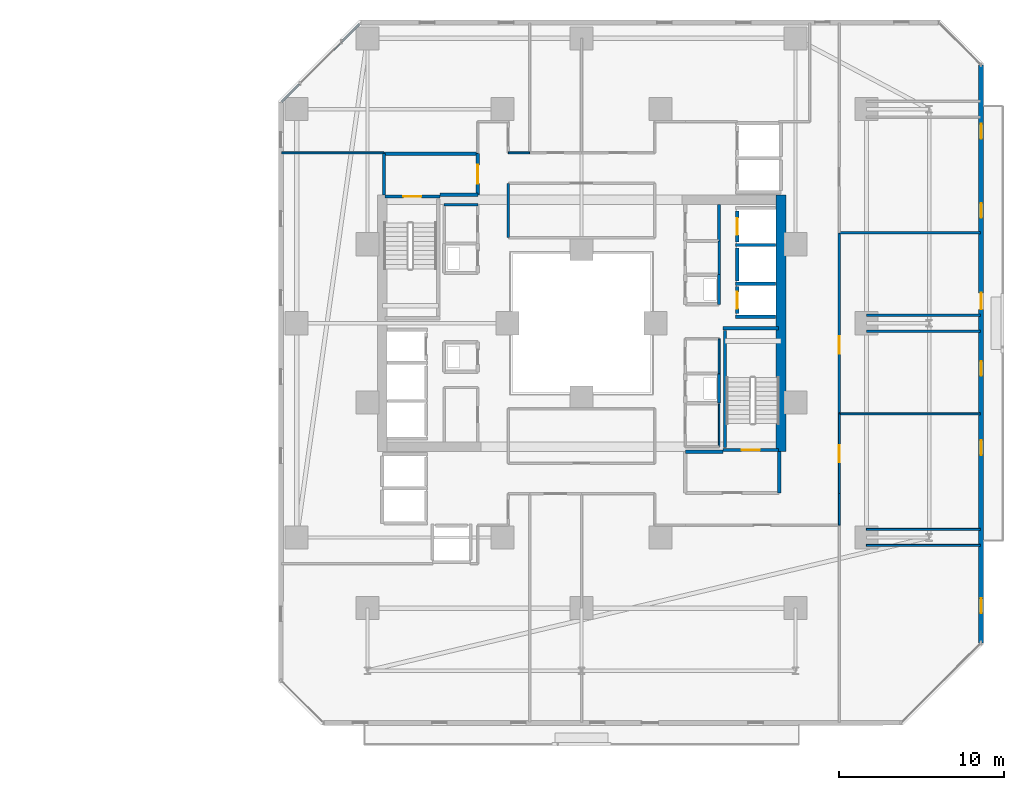
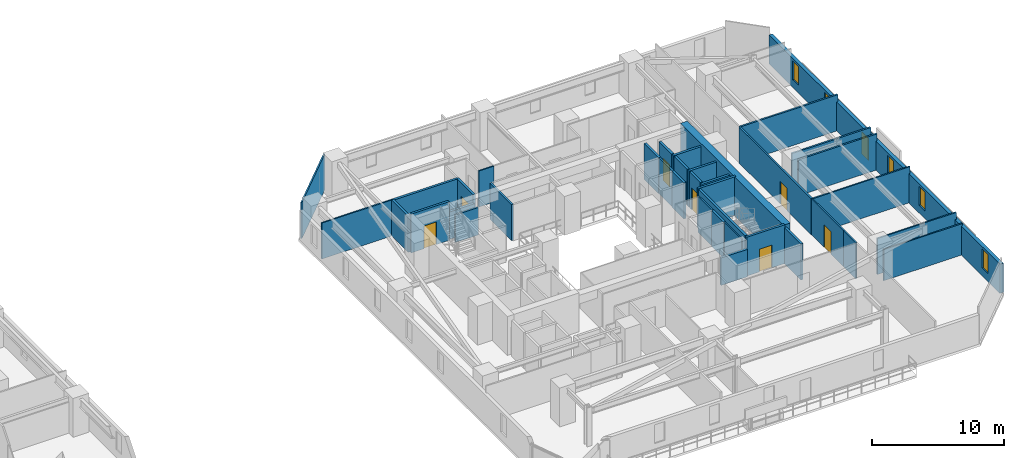
# One storey, part 24 of 33: 38 walls, 8 doors, 5 windows, 13 openings.
"""IFC4 building model written with IfcOpenShell, lengths in metres."""

from ifc_helpers import new_model, si_unit, direction, frame, frame_2d, origin, place, context, subcontext, project, spatial, rectangle, extrude, material, layer, layer_set, type_object, element, fill, save


model = new_model("IFC4")

# Units and contexts
model_context = context("Model", 3, precision=1e-05, world=origin(), true_north=direction((0.0, 1.0)))
body_context = subcontext(model_context, "Body", "Model", "MODEL_VIEW")
ifc_project = project(units=[si_unit("LENGTHUNIT", "METRE"), si_unit("AREAUNIT", "SQUARE_METRE"), si_unit("VOLUMEUNIT", "CUBIC_METRE"), si_unit("PLANEANGLEUNIT", "RADIAN"), si_unit("MASSUNIT", "GRAM", prefix="KILO")], contexts=[model_context])

# Site, building, storey
site_placement = place(None, origin())
site = spatial("IfcSite", under=ifc_project, at=site_placement, CompositionType="ELEMENT")
building_placement = place(site_placement, origin())
building = spatial("IfcBuilding", under=site, at=building_placement, Name="Thornwick Lancets Civic Towers", CompositionType="ELEMENT")
storey_placement = place(building_placement, frame((0.0, 0.0, 42.300048828125)))
storey = spatial("IfcBuildingStorey", under=building, at=storey_placement, Name="L10", CompositionType="ELEMENT", Elevation=42.300048828125)

# Wall, opening, door
ifc_material_1 = material(Name="Concrete blockwork C40/50", Category="masonry")
ifc_layer_1 = layer(ifc_material_1, 0.199951171875, Name="Concrete blockwork C40/50")
ifc_layer_set_1 = layer_set([ifc_layer_1], Name="Concrete blockwork C40/50")
wall_type_1 = type_object("IfcWallType", Name="WALL_COMP_200", PredefinedType="STANDARD", material=ifc_layer_set_1)
wall_1_placement = place(storey_placement, frame((97.949951171875, 29.219970703125, 0.0), z_axis=(0.0, 0.0, 1.0), x_axis=(0.0, -1.0, 0.0)))
wall_1 = element("IfcWall", 1, at=wall_1_placement, inside=storey, type_object=wall_type_1, Name="L10 Hoistway Front Wall FL-B1", PredefinedType="STANDARD", context=body_context, shape_type="SweptSolid", body=[
    extrude(rectangle(XDim=1.639892578125, YDim=0.199951171875, at=frame_2d((0.81982421875, 0.0))), origin(), (0.0, 0.0, 1.0), 3.33984375),
])
opening_1_placement = place(wall_1_placement, frame((0.31005859375, 0.0, 0.0)))
opening_1 = element("IfcOpeningElement", 2, at=opening_1_placement, cuts=wall_1, Name="Opening LD-FL-B1", PredefinedType="OPENING", context=body_context, shape_type="SweptSolid", body=[
    extrude(rectangle(XDim=1.02001953125, YDim=2.06005859375, at=frame_2d((0.510009765625, 1.030029296875))), frame((0.0, 0.10986328125, 0.0), z_axis=(0.0, -1.0, 0.0), x_axis=(1.0, 0.0, 0.0)), (0.0, 0.0, 1.0), 0.219970703125),
])
ifc_material_2 = material(Name="Brushed bronze stainless steel", Category="steel")
door_type_1 = type_object("IfcDoorType", Name="DOOR_LIFT_SLIDE", OperationType="SLIDING_TO_LEFT", PredefinedType="DOOR", material=ifc_material_2)
door_1_placement = place(opening_1_placement, origin())
door_1 = element("IfcDoor", 3, at=door_1_placement, inside=storey, type_object=door_type_1, Name="L10 Sliding Lift Landing Door LD-FL-B1", OperationType="SLIDING_TO_LEFT", OverallHeight=2.06005859375, OverallWidth=1.02001953125, PredefinedType="DOOR", context=body_context, shape_type="SweptSolid", body=[
    extrude(rectangle(XDim=1.02001953125, YDim=2.06005859375, at=frame_2d((0.510009765625, 1.030029296875))), frame((0.0, 0.02490234375, 0.0), z_axis=(0.0, -1.0, 0.0), x_axis=(1.0, 0.0, 0.0)), (0.0, 0.0, 1.0), 0.050048828125),
])
fill(opening_1, door_1)

# Wall
wall_2_placement = place(storey_placement, frame((97.949951171875, 31.570068359375, 0.0), z_axis=(0.0, 0.0, 1.0), x_axis=(0.0, -1.0, 0.0)))
element("IfcWall", 4, at=wall_2_placement, inside=storey, type_object=wall_type_1, Name="L10 Hoistway Front Wall PL-BH1", PredefinedType="STANDARD", context=body_context, shape_type="SweptSolid", body=[
    extrude(rectangle(XDim=1.989990234375, YDim=0.199951171875, at=frame_2d((0.9951171875, 0.0))), origin(), (0.0, 0.0, 1.0), 3.33984375),
])

# Wall, opening, door
wall_3_placement = place(storey_placement, frame((97.949951171875, 33.820068359375, 0.0), z_axis=(0.0, 0.0, 1.0), x_axis=(0.0, -1.0, 0.0)))
wall_3 = element("IfcWall", 5, at=wall_3_placement, inside=storey, type_object=wall_type_1, Name="L10 Hoistway Front Wall PL-BL1", PredefinedType="STANDARD", context=body_context, shape_type="SweptSolid", body=[
    extrude(rectangle(XDim=1.89013671875, YDim=0.199951171875, at=frame_2d((0.945068359375, 0.0))), origin(), (0.0, 0.0, 1.0), 3.33984375),
])
opening_2_placement = place(wall_3_placement, frame((0.43505859375, 0.0, 0.0)))
opening_2 = element("IfcOpeningElement", 6, at=opening_2_placement, cuts=wall_3, Name="Opening LD-PL-BL1", PredefinedType="OPENING", context=body_context, shape_type="SweptSolid", body=[
    extrude(rectangle(XDim=1.02001953125, YDim=2.06005859375, at=frame_2d((0.510009765625, 1.030029296875))), frame((0.0, 0.10986328125, 0.0), z_axis=(0.0, -1.0, 0.0), x_axis=(1.0, 0.0, 0.0)), (0.0, 0.0, 1.0), 0.219970703125),
])
door_2_placement = place(opening_2_placement, origin())
door_2 = element("IfcDoor", 7, at=door_2_placement, inside=storey, type_object=door_type_1, Name="L10 Sliding Lift Landing Door LD-PL-BL1", OperationType="SLIDING_TO_LEFT", OverallHeight=2.06005859375, OverallWidth=1.02001953125, PredefinedType="DOOR", context=body_context, shape_type="SweptSolid", body=[
    extrude(rectangle(XDim=1.02001953125, YDim=2.06005859375, at=frame_2d((0.510009765625, 1.030029296875))), frame((0.0, 0.02490234375, 0.0), z_axis=(0.0, -1.0, 0.0), x_axis=(1.0, 0.0, 0.0)), (0.0, 0.0, 1.0), 0.050048828125),
])
fill(opening_2, door_2)

# Walls
for number, where, z_axis, x_axis, name in (
    (8, (97.85205078125, 29.39990234375, 0.0), (0.0, 0.0, 1.0), (1.0, 0.0, 0.0), "L10 Hoistway Shaft Wall FL-B1 N"),
    (9, (97.85205078125, 27.39990234375, 0.0), (0.0, 0.0, 1.0), (1.0, 0.0, 0.0), "L10 Hoistway Shaft Wall FL-B1 S"),
    (10, (97.85205078125, 31.75, 0.0), (0.0, 0.0, 1.0), (1.0, 0.0, 0.0), "L10 Hoistway Shaft Wall PL-BH1 N"),
):
    element("IfcWall", number, at=place(storey_placement, frame(where, z_axis=z_axis, x_axis=x_axis)), inside=storey, type_object=wall_type_1, Name=name, PredefinedType="STANDARD", context=body_context, shape_type="SweptSolid", body=[
        extrude(rectangle(XDim=2.43603515625, YDim=0.199951171875, at=frame_2d((1.218017578125, 0.0))), origin(), (0.0, 0.0, 1.0), 3.33984375),
    ])
wall_4_placement = place(storey_placement, frame((100.5, 16.699951171875, 0.0), z_axis=(0.0, 0.0, 1.0), x_axis=(0.0, 1.0, 0.0)))
element("IfcWall", 11, at=wall_4_placement, inside=storey, type_object=wall_type_1, Name="L10 Partition L10-B-FFLOB1 E2", PredefinedType="STANDARD", context=body_context, shape_type="SweptSolid", body=[
    extrude(rectangle(XDim=2.5, YDim=0.199951171875, at=frame_2d((1.25, 0.0))), origin(), (0.0, 0.0, 1.0), 3.33984375),
])
for number, where, z_axis, x_axis, name in (
    (12, (97.10009765625, 19.199951171875, 0.0), (0.0, 0.0, 1.0), (-1.0, 0.0, 0.0), "L10 Partition L10-B-FFLOB1 E3"),
    (13, (79.89990234375, 34.800048828125, 0.0), (0.0, 0.0, 1.0), (1.0, 0.0, 0.0), "L10 Partition L10-B-FFLOB2 E1"),
):
    element("IfcWall", number, at=place(storey_placement, frame(where, z_axis=z_axis, x_axis=x_axis)), inside=storey, type_object=wall_type_1, Name=name, PredefinedType="STANDARD", context=body_context, shape_type="SweptSolid", body=[
        extrude(rectangle(XDim=2.300048828125, YDim=0.199951171875, at=frame_2d((1.14990234375, 0.0))), origin(), (0.0, 0.0, 1.0), 2.544921875),
    ])

# Wall, opening, door
wall_5_placement = place(storey_placement, frame((82.199951171875, 34.800048828125, 0.0), z_axis=(0.0, 0.0, 1.0), x_axis=(0.0, 1.0, 0.0)))
wall_5 = element("IfcWall", 14, at=wall_5_placement, inside=storey, type_object=wall_type_1, Name="L10 Partition L10-B-FFLOB2 E2", PredefinedType="STANDARD", context=body_context, shape_type="SweptSolid", body=[
    extrude(rectangle(XDim=2.5, YDim=0.199951171875, at=frame_2d((1.25, 0.0))), origin(), (0.0, 0.0, 1.0), 3.33984375),
])
opening_3_placement = place(wall_5_placement, frame((0.675048828125, 0.0, 0.0)))
opening_3 = element("IfcOpeningElement", 15, at=opening_3_placement, cuts=wall_5, Name="Opening D-L10-0500", PredefinedType="OPENING", context=body_context, shape_type="SweptSolid", body=[
    extrude(rectangle(XDim=1.14990234375, YDim=2.10009765625, at=frame_2d((0.574951171875, 1.050048828125))), frame((0.0, 0.10986328125, 0.0), z_axis=(0.0, -1.0, 0.0), x_axis=(1.0, 0.0, 0.0)), (0.0, 0.0, 1.0), 0.219970703125),
])
ifc_material_3 = material(Name="Glazed fire-resisting steel", Category="steel")
door_type_2 = type_object("IfcDoorType", Name="DOOR_LOBBY_FD60", OperationType="NOTDEFINED", PredefinedType="DOOR", material=ifc_material_3)
door_3_placement = place(opening_3_placement, origin())
door_3 = element("IfcDoor", 16, at=door_3_placement, inside=storey, type_object=door_type_2, Name="L10 West Firefighting Lobby 2 Door", OperationType="SINGLE_SWING_LEFT", OverallHeight=2.10009765625, OverallWidth=1.14990234375, PredefinedType="DOOR", context=body_context, shape_type="SweptSolid", body=[
    extrude(rectangle(XDim=1.14990234375, YDim=2.10009765625, at=frame_2d((0.574951171875, 1.050048828125))), frame((0.0, 0.02490234375, 0.0), z_axis=(0.0, -1.0, 0.0), x_axis=(1.0, 0.0, 0.0)), (0.0, 0.0, 1.0), 0.050048828125),
])
fill(opening_3, door_3)

# Walls
wall_6_placement = place(storey_placement, frame((82.199951171875, 37.300048828125, 0.0), z_axis=(0.0, 0.0, 1.0), x_axis=(-1.0, 0.0, 0.0)))
element("IfcWall", 17, at=wall_6_placement, inside=storey, type_object=wall_type_1, Name="L10 Partition L10-B-FFLOB2 E3", PredefinedType="STANDARD", context=body_context, shape_type="SweptSolid", body=[
    extrude(rectangle(XDim=5.699951171875, YDim=0.199951171875, at=frame_2d((2.85009765625, 0.0))), origin(), (0.0, 0.0, 1.0), 3.33984375),
])
wall_7_placement = place(storey_placement, frame((76.5, 37.300048828125, 0.0), z_axis=(0.0, 0.0, 1.0), x_axis=(0.0, -1.0, 0.0)))
element("IfcWall", 18, at=wall_7_placement, inside=storey, type_object=wall_type_1, Name="L10 Partition L10-B-FFLOB2 E4", PredefinedType="STANDARD", context=body_context, shape_type="SweptSolid", body=[
    extrude(rectangle(XDim=2.5, YDim=0.199951171875, at=frame_2d((1.25, 0.0))), origin(), (0.0, 0.0, 1.0), 3.33984375),
])
for number, where, z_axis, x_axis, name in (
    (19, (96.85009765625, 28.14990234375, 0.0), (0.0, 0.0, 1.0), (0.0, 1.0, 0.0), "L10 Partition L10-B-DUCT1 E2"),
    (20, (96.85009765625, 22.14990234375, 0.0), (0.0, 0.0, 1.0), (0.0, 1.0, 0.0), "L10 Partition L10-B-RISER1 E2"),
):
    element("IfcWall", number, at=place(storey_placement, frame(where, z_axis=z_axis, x_axis=x_axis)), inside=storey, type_object=wall_type_1, Name=name, PredefinedType="STANDARD", context=body_context, shape_type="SweptSolid", body=[
        extrude(rectangle(XDim=1.800048828125, YDim=0.199951171875, at=frame_2d((0.89990234375, 0.0))), origin(), (0.0, 0.0, 1.0), 3.33984375),
    ])
wall_8_placement = place(storey_placement, frame((96.85009765625, 34.199951171875, 0.0), z_axis=(0.0, 0.0, 1.0), x_axis=(0.0, -1.0, 0.0)))
element("IfcWall", 21, at=wall_8_placement, inside=storey, type_object=wall_type_1, Name="L10 Partition L10-B-STR2 E3", PredefinedType="STANDARD", context=body_context, shape_type="SweptSolid", body=[
    extrude(rectangle(XDim=2.199951171875, YDim=0.199951171875, at=frame_2d((1.10009765625, 0.0))), origin(), (0.0, 0.0, 1.0), 3.33984375),
])
ifc_material_4 = material(Name="Concrete C60/75", Category="concrete")
ifc_layer_2 = layer(ifc_material_4, 0.60009765625, Name="Concrete C60/75")
ifc_layer_set_2 = layer_set([ifc_layer_2], Name="Concrete C60/75")
wall_type_2 = type_object("IfcWallType", Name="WALL_CORE_600", PredefinedType="SHEAR", material=ifc_layer_set_2)
wall_9_placement = place(storey_placement, frame((100.60009765625, 19.199951171875, 0.0), z_axis=(0.0, 0.0, 1.0), x_axis=(0.0, 1.0, 0.0)))
element("IfcWall", 22, at=wall_9_placement, inside=storey, type_object=wall_type_2, Name="L10 Split Core B1 Shear Wall E", PredefinedType="SHEAR", context=body_context, shape_type="SweptSolid", body=[
    extrude(rectangle(XDim=15.60009765625, YDim=0.60009765625, at=frame_2d((7.800048828125, 0.0))), origin(), (0.0, 0.0, 1.0), 3.599853515625),
])

# Wall, openings, door, windows
ifc_material_5 = material(Name="Insulated russet terracotta rainscreen on concrete C40/50", Category="masonry")
ifc_layer_3 = layer(ifc_material_5, 0.300048828125, Name="Insulated russet terracotta rainscreen on concrete C40/50")
ifc_layer_set_3 = layer_set([ifc_layer_3], Name="Insulated russet terracotta rainscreen on concrete C40/50")
wall_type_3 = type_object("IfcWallType", Name="WALL_EXT_RUSSET_300", PredefinedType="STANDARD", material=ifc_layer_set_3)
wall_10_placement = place(storey_placement, frame((112.757568359375, 7.600830078125, 0.0), z_axis=(0.0, 0.0, 1.0), x_axis=(0.000208784245, 0.999999978205, 0.0)))
wall_10 = element("IfcWall", 23, at=wall_10_placement, inside=storey, type_object=wall_type_3, Name="L10 Tower B Terracotta Facade Wall E2", PredefinedType="STANDARD", context=body_context, shape_type="SweptSolid", body=[
    extrude(rectangle(XDim=35.080322265625, YDim=0.300048828125, at=frame_2d((17.5400390625, 0.0))), origin(), (0.0, 0.0, 1.0), 2.699951171875),
])
opening_4_placement = place(wall_10_placement, frame((20.240234375, 0.0, 0.0)))
opening_4 = element("IfcOpeningElement", 24, at=opening_4_placement, cuts=wall_10, Name="Opening D-BL-L10-BE", PredefinedType="OPENING", context=body_context, shape_type="SweptSolid", body=[
    extrude(rectangle(XDim=1.0, YDim=2.080078125, at=frame_2d((0.5, 1.0400390625))), frame((0.0, 0.16015625, 0.0), z_axis=(0.0, -1.0, 0.0), x_axis=(1.0, 0.0, 0.0)), (0.0, 0.0, 1.0), 0.320068359375),
])
opening_5_placement = place(wall_10_placement, frame((1.800048828125, 0.0, 0.719970703125)))
opening_5 = element("IfcOpeningElement", 25, at=opening_5_placement, cuts=wall_10, Name="Opening WL-01", PredefinedType="OPENING", context=body_context, shape_type="SweptSolid", body=[
    extrude(rectangle(XDim=0.89990234375, YDim=1.75, at=frame_2d((0.449951171875, 0.875))), frame((0.0, 0.16015625, 0.0), z_axis=(0.0, -1.0, 0.0), x_axis=(1.0, 0.0, 0.0)), (0.0, 0.0, 1.0), 0.320068359375),
])
opening_6_placement = place(wall_10_placement, frame((11.39990234375, 0.0, 0.719970703125)))
opening_6 = element("IfcOpeningElement", 26, at=opening_6_placement, cuts=wall_10, Name="Opening WL-01", PredefinedType="OPENING", context=body_context, shape_type="SweptSolid", body=[
    extrude(rectangle(XDim=0.89990234375, YDim=1.75, at=frame_2d((0.449951171875, 0.875))), frame((0.0, 0.16015625, 0.0), z_axis=(0.0, -1.0, 0.0), x_axis=(1.0, 0.0, 0.0)), (0.0, 0.0, 1.0), 0.320068359375),
])
opening_7_placement = place(wall_10_placement, frame((16.199951171875, 0.0, 0.719970703125)))
opening_7 = element("IfcOpeningElement", 27, at=opening_7_placement, cuts=wall_10, Name="Opening WL-01", PredefinedType="OPENING", context=body_context, shape_type="SweptSolid", body=[
    extrude(rectangle(XDim=0.89990234375, YDim=1.75, at=frame_2d((0.449951171875, 0.875))), frame((0.0, 0.16015625, 0.0), z_axis=(0.0, -1.0, 0.0), x_axis=(1.0, 0.0, 0.0)), (0.0, 0.0, 1.0), 0.320068359375),
])
opening_8_placement = place(wall_10_placement, frame((25.800048828125, 0.0, 0.719970703125)))
opening_8 = element("IfcOpeningElement", 28, at=opening_8_placement, cuts=wall_10, Name="Opening WL-01", PredefinedType="OPENING", context=body_context, shape_type="SweptSolid", body=[
    extrude(rectangle(XDim=0.89990234375, YDim=1.75, at=frame_2d((0.449951171875, 0.875))), frame((0.0, 0.16015625, 0.0), z_axis=(0.0, -1.0, 0.0), x_axis=(1.0, 0.0, 0.0)), (0.0, 0.0, 1.0), 0.320068359375),
])
opening_9_placement = place(wall_10_placement, frame((30.60009765625, 0.0, 0.719970703125)))
opening_9 = element("IfcOpeningElement", 29, at=opening_9_placement, cuts=wall_10, Name="Opening WL-01", PredefinedType="OPENING", context=body_context, shape_type="SweptSolid", body=[
    extrude(rectangle(XDim=0.89990234375, YDim=1.75, at=frame_2d((0.449951171875, 0.875))), frame((0.0, 0.16015625, 0.0), z_axis=(0.0, -1.0, 0.0), x_axis=(1.0, 0.0, 0.0)), (0.0, 0.0, 1.0), 0.320068359375),
])
ifc_material_6 = material(Name="Thermally broken glazed loggia doorset")
door_type_3 = type_object("IfcDoorType", Name="DOOR_BALC_1000", OperationType="NOTDEFINED", PredefinedType="DOOR", material=ifc_material_6)
door_4_placement = place(opening_4_placement, origin())
door_4 = element("IfcDoor", 30, at=door_4_placement, inside=storey, type_object=door_type_3, Name="L10 Tower B Loggia Balcony Door E", OperationType="SINGLE_SWING_LEFT", OverallHeight=2.080078125, OverallWidth=1.0, PredefinedType="DOOR", context=body_context, shape_type="SweptSolid", body=[
    extrude(rectangle(XDim=1.0, YDim=2.080078125, at=frame_2d((0.5, 1.0400390625))), frame((0.0, 0.02490234375, 0.0), z_axis=(0.0, -1.0, 0.0), x_axis=(1.0, 0.0, 0.0)), (0.0, 0.0, 1.0), 0.050048828125),
])
fill(opening_4, door_4)
ifc_material_7 = material(Name="Clear low-e double glazing in bronze frame", Category="glass")
window_type = type_object("IfcWindowType", Name="WIN_LANCET_900", PartitioningType="SINGLE_PANEL", PredefinedType="WINDOW", material=ifc_material_7)
window_1_placement = place(opening_5_placement, origin())
window_1 = element("IfcWindow", 31, at=window_1_placement, inside=storey, type_object=window_type, Name="L10 Tower B Staggered Lancet Window E2-1", OverallHeight=1.75, OverallWidth=0.89990234375, PartitioningType="SINGLE_PANEL", PredefinedType="WINDOW", context=body_context, shape_type="SweptSolid", body=[
    extrude(rectangle(XDim=0.89990234375, YDim=1.75, at=frame_2d((0.449951171875, 0.875))), frame((0.0, 0.030029296875, 0.0), z_axis=(0.0, -1.0, 0.0), x_axis=(1.0, 0.0, 0.0)), (0.0, 0.0, 1.0), 0.06005859375),
])
fill(opening_5, window_1)
window_2_placement = place(opening_6_placement, origin())
window_2 = element("IfcWindow", 32, at=window_2_placement, inside=storey, type_object=window_type, Name="L10 Tower B Staggered Lancet Window E2-2", OverallHeight=1.75, OverallWidth=0.89990234375, PartitioningType="SINGLE_PANEL", PredefinedType="WINDOW", context=body_context, shape_type="SweptSolid", body=[
    extrude(rectangle(XDim=0.89990234375, YDim=1.75, at=frame_2d((0.449951171875, 0.875))), frame((0.0, 0.030029296875, 0.0), z_axis=(0.0, -1.0, 0.0), x_axis=(1.0, 0.0, 0.0)), (0.0, 0.0, 1.0), 0.06005859375),
])
fill(opening_6, window_2)
window_3_placement = place(opening_7_placement, origin())
window_3 = element("IfcWindow", 33, at=window_3_placement, inside=storey, type_object=window_type, Name="L10 Tower B Staggered Lancet Window E2-3", OverallHeight=1.75, OverallWidth=0.89990234375, PartitioningType="SINGLE_PANEL", PredefinedType="WINDOW", context=body_context, shape_type="SweptSolid", body=[
    extrude(rectangle(XDim=0.89990234375, YDim=1.75, at=frame_2d((0.449951171875, 0.875))), frame((0.0, 0.030029296875, 0.0), z_axis=(0.0, -1.0, 0.0), x_axis=(1.0, 0.0, 0.0)), (0.0, 0.0, 1.0), 0.06005859375),
])
fill(opening_7, window_3)
window_4_placement = place(opening_8_placement, origin())
window_4 = element("IfcWindow", 34, at=window_4_placement, inside=storey, type_object=window_type, Name="L10 Tower B Staggered Lancet Window E2-4", OverallHeight=1.75, OverallWidth=0.89990234375, PartitioningType="SINGLE_PANEL", PredefinedType="WINDOW", context=body_context, shape_type="SweptSolid", body=[
    extrude(rectangle(XDim=0.89990234375, YDim=1.75, at=frame_2d((0.449951171875, 0.875))), frame((0.0, 0.030029296875, 0.0), z_axis=(0.0, -1.0, 0.0), x_axis=(1.0, 0.0, 0.0)), (0.0, 0.0, 1.0), 0.06005859375),
])
fill(opening_8, window_4)
window_5_placement = place(opening_9_placement, origin())
window_5 = element("IfcWindow", 35, at=window_5_placement, inside=storey, type_object=window_type, Name="L10 Tower B Staggered Lancet Window E2-5", OverallHeight=1.75, OverallWidth=0.89990234375, PartitioningType="SINGLE_PANEL", PredefinedType="WINDOW", context=body_context, shape_type="SweptSolid", body=[
    extrude(rectangle(XDim=0.89990234375, YDim=1.75, at=frame_2d((0.449951171875, 0.875))), frame((0.0, 0.030029296875, 0.0), z_axis=(0.0, -1.0, 0.0), x_axis=(1.0, 0.0, 0.0)), (0.0, 0.0, 1.0), 0.06005859375),
])
fill(opening_9, window_5)

# Walls
ifc_material_8 = material(Name="Lightweight cellular office partition")
ifc_layer_4 = layer(ifc_material_8, 0.10009765625, Name="Lightweight cellular office partition")
ifc_layer_set_4 = layer_set([ifc_layer_4], Name="Lightweight cellular office partition")
wall_type_4 = type_object("IfcWallType", Name="WALL_PART_100", PredefinedType="PARTITIONING", material=ifc_layer_set_4)
wall_11_placement = place(storey_placement, frame((96.85009765625, 19.5, 0.0), z_axis=(0.0, 0.0, 1.0), x_axis=(0.0, 1.0, 0.0)))
element("IfcWall", 36, at=wall_11_placement, inside=storey, type_object=wall_type_4, Name="L10 Partition L10-B-CLN E2", PredefinedType="PARTITIONING", context=body_context, shape_type="SweptSolid", body=[
    extrude(rectangle(XDim=2.60009765625, YDim=0.10009765625, at=frame_2d((1.300048828125, 0.0))), origin(), (0.0, 0.0, 1.0), 3.33984375),
])
ifc_material_9 = material(Name="Acoustic gypsum board partition")
ifc_layer_5 = layer(ifc_material_9, 0.1201171875, Name="Acoustic gypsum board partition")
ifc_layer_set_5 = layer_set([ifc_layer_5], Name="Acoustic gypsum board partition")
wall_type_5 = type_object("IfcWallType", Name="WALL_PART_120", PredefinedType="PARTITIONING", material=ifc_layer_set_5)
wall_12_placement = place(storey_placement, frame((96.85009765625, 26.050048828125, 0.0), z_axis=(0.0, 0.0, 1.0), x_axis=(0.0, -1.0, 0.0)))
element("IfcWall", 37, at=wall_12_placement, inside=storey, type_object=wall_type_5, Name="L10 Partition L10-B-ITR E3", PredefinedType="PARTITIONING", context=body_context, shape_type="SweptSolid", body=[
    extrude(rectangle(XDim=2.10009765625, YDim=0.1201171875, at=frame_2d((1.050048828125, 0.0))), origin(), (0.0, 0.0, 1.0), 3.33984375),
])
wall_13_placement = place(storey_placement, frame((76.5, 37.35009765625, 0.0), z_axis=(0.0, 0.0, 1.0), x_axis=(-1.0, 0.0, 0.0)))
element("IfcWall", 38, at=wall_13_placement, inside=storey, type_object=wall_type_5, Name="L10 Partition L10-B-E3 E4", PredefinedType="PARTITIONING", context=body_context, shape_type="SweptSolid", body=[
    extrude(rectangle(XDim=6.219970703125, YDim=0.1201171875, at=frame_2d((3.10986328125, 0.0))), origin(), (0.0, 0.0, 1.0), 3.33984375),
])
wall_14_placement = place(storey_placement, frame((70.280029296875, 40.434326171875, 0.0), z_axis=(0.0, 0.0, 1.0), x_axis=(0.707106781187, 0.707106781187, 0.0)))
element("IfcWall", 39, at=wall_14_placement, inside=storey, type_object=wall_type_5, Name="L10 Partition L10-B-E3 E6", PredefinedType="PARTITIONING", context=body_context, shape_type="SweptSolid", body=[
    extrude(rectangle(XDim=6.703369140625, YDim=0.1201171875, at=frame_2d((3.3515625, 0.0))), origin(), (0.0, 0.0, 1.0), 3.33984375),
])
wall_15_placement = place(storey_placement, frame((85.35009765625, 37.35009765625, 0.0), z_axis=(0.0, 0.0, 1.0), x_axis=(-1.0, 0.0, 0.0)))
element("IfcWall", 40, at=wall_15_placement, inside=storey, type_object=wall_type_5, Name="L10 Partition L10-B-E3 E12", PredefinedType="PARTITIONING", context=body_context, shape_type="SweptSolid", body=[
    extrude(rectangle(XDim=1.300048828125, YDim=0.1201171875, at=frame_2d((0.64990234375, 0.0))), origin(), (0.0, 0.0, 1.0), 3.33984375),
])
wall_16_placement = place(storey_placement, frame((104.14990234375, 14.75, 0.0), z_axis=(0.0, 0.0, 1.0), x_axis=(0.0, 1.0, 0.0)))
element("IfcWall", 41, at=wall_16_placement, inside=storey, type_object=wall_type_5, Name="L10 Partition L10-B-S-OFF1 E3", PredefinedType="PARTITIONING", context=body_context, shape_type="SweptSolid", body=[
    extrude(rectangle(XDim=1.89990234375, YDim=0.1201171875, at=frame_2d((0.949951171875, 0.0))), origin(), (0.0, 0.0, 1.0), 3.33984375),
])

# Wall, opening, door
wall_17_placement = place(storey_placement, frame((104.14990234375, 16.64990234375, 0.0), z_axis=(0.0, 0.0, 1.0), x_axis=(0.0, 1.0, 0.0)))
wall_17 = element("IfcWall", 42, at=wall_17_placement, inside=storey, type_object=wall_type_5, Name="L10 Partition L10-B-S-OFF1 E4", PredefinedType="PARTITIONING", context=body_context, shape_type="SweptSolid", body=[
    extrude(rectangle(XDim=4.85009765625, YDim=0.1201171875, at=frame_2d((2.425048828125, 0.0))), origin(), (0.0, 0.0, 1.0), 3.33984375),
])
opening_10_placement = place(wall_17_placement, frame((1.89990234375, 0.0, 0.0)))
opening_10 = element("IfcOpeningElement", 43, at=opening_10_placement, cuts=wall_17, Name="Opening D-L10-0530", PredefinedType="OPENING", context=body_context, shape_type="SweptSolid", body=[
    extrude(rectangle(XDim=1.050048828125, YDim=2.10009765625, at=frame_2d((0.52490234375, 1.050048828125))), frame((0.0, 0.070068359375, 0.0), z_axis=(0.0, -1.0, 0.0), x_axis=(1.0, 0.0, 0.0)), (0.0, 0.0, 1.0), 0.14013671875),
])
ifc_material_10 = material(Name="Glazed European oak executive doorset")
door_type_4 = type_object("IfcDoorType", Name="DOOR_OFFICE_1050", OperationType="NOTDEFINED", PredefinedType="DOOR", material=ifc_material_10)
door_5_placement = place(opening_10_placement, origin())
door_5 = element("IfcDoor", 44, at=door_5_placement, inside=storey, type_object=door_type_4, Name="L10 Tower B South-West Division Office Door", OperationType="SINGLE_SWING_LEFT", OverallHeight=2.10009765625, OverallWidth=1.050048828125, PredefinedType="DOOR", context=body_context, shape_type="SweptSolid", body=[
    extrude(rectangle(XDim=1.050048828125, YDim=2.10009765625, at=frame_2d((0.52490234375, 1.050048828125))), frame((0.0, 0.02490234375, 0.0), z_axis=(0.0, -1.0, 0.0), x_axis=(1.0, 0.0, 0.0)), (0.0, 0.0, 1.0), 0.050048828125),
])
fill(opening_10, door_5)

# Walls
wall_18_placement = place(storey_placement, frame((104.14990234375, 21.5, 0.0), z_axis=(0.0, 0.0, 1.0), x_axis=(1.0, 0.0, 0.0)))
element("IfcWall", 45, at=wall_18_placement, inside=storey, type_object=wall_type_5, Name="L10 Partition L10-B-S-OFF1 E5", PredefinedType="PARTITIONING", context=body_context, shape_type="SweptSolid", body=[
    extrude(rectangle(XDim=8.570068359375, YDim=0.1201171875, at=frame_2d((4.28515625, 0.0))), origin(), (0.0, 0.0, 1.0), 3.33984375),
])
wall_19_placement = place(storey_placement, frame((112.719970703125, 14.47998046875, 0.0), z_axis=(0.0, 0.0, 1.0), x_axis=(-1.0, 0.0, 0.0)))
element("IfcWall", 46, at=wall_19_placement, inside=storey, type_object=wall_type_5, Name="L10 Partition L10-B-S-OFF1 E7", PredefinedType="PARTITIONING", context=body_context, shape_type="SweptSolid", body=[
    extrude(rectangle(XDim=6.919921875, YDim=0.1201171875, at=frame_2d((3.4599609375, 0.0))), origin(), (0.0, 0.0, 1.0), 3.33984375),
])
wall_20_placement = place(storey_placement, frame((105.800048828125, 13.52001953125, 0.0), z_axis=(0.0, 0.0, 1.0), x_axis=(1.0, 0.0, 0.0)))
element("IfcWall", 47, at=wall_20_placement, inside=storey, type_object=wall_type_5, Name="L10 Partition L10-B-S-OFF1 E9", PredefinedType="PARTITIONING", context=body_context, shape_type="SweptSolid", body=[
    extrude(rectangle(XDim=6.919921875, YDim=0.1201171875, at=frame_2d((3.4599609375, 0.0))), origin(), (0.0, 0.0, 1.0), 2.89501953125),
])
ifc_material_11 = material(Name="Twin-stud acoustic gypsum board")
ifc_layer_6 = layer(ifc_material_11, 0.14990234375, Name="Twin-stud acoustic gypsum board")
ifc_layer_set_6 = layer_set([ifc_layer_6], Name="Twin-stud acoustic gypsum board")
wall_type_6 = type_object("IfcWallType", Name="WALL_PART_150", PredefinedType="PARTITIONING", material=ifc_layer_set_6)
wall_21_placement = place(storey_placement, frame((96.85009765625, 32.0, 0.0), z_axis=(0.0, 0.0, 1.0), x_axis=(0.0, -1.0, 0.0)))
element("IfcWall", 48, at=wall_21_placement, inside=storey, type_object=wall_type_6, Name="L10 Partition L10-B-AWC E3", PredefinedType="PARTITIONING", context=body_context, shape_type="SweptSolid", body=[
    extrude(rectangle(XDim=2.050048828125, YDim=0.14990234375, at=frame_2d((1.02490234375, 0.0))), origin(), (0.0, 0.0, 1.0), 3.33984375),
])
wall_22_placement = place(storey_placement, frame((80.14990234375, 34.199951171875, 0.0), z_axis=(0.0, 0.0, 1.0), x_axis=(1.0, 0.0, 0.0)))
element("IfcWall", 49, at=wall_22_placement, inside=storey, type_object=wall_type_6, Name="L10 Partition L10-B-FWC E2", PredefinedType="PARTITIONING", context=body_context, shape_type="SweptSolid", body=[
    extrude(rectangle(XDim=2.050048828125, YDim=0.14990234375, at=frame_2d((1.02490234375, 0.0))), origin(), (0.0, 0.0, 1.0), 2.544921875),
])
wall_23_placement = place(storey_placement, frame((84.050048828125, 32.199951171875, 0.0), z_axis=(0.0, 0.0, 1.0), x_axis=(0.0, 1.0, 0.0)))
element("IfcWall", 50, at=wall_23_placement, inside=storey, type_object=wall_type_6, Name="L10 Partition L10-B-ATR-E E1", PredefinedType="PARTITIONING", context=body_context, shape_type="SweptSolid", body=[
    extrude(rectangle(XDim=3.300048828125, YDim=0.14990234375, at=frame_2d((1.64990234375, 0.0))), origin(), (0.0, 0.0, 1.0), 3.33984375),
])

# Wall, opening, door
wall_24_placement = place(storey_placement, frame((104.14990234375, 21.5, 0.0), z_axis=(0.0, 0.0, 1.0), x_axis=(0.0, 1.0, 0.0)))
wall_24 = element("IfcWall", 51, at=wall_24_placement, inside=storey, type_object=wall_type_6, Name="L10 Partition L10-B-S-ARCH E1", PredefinedType="PARTITIONING", context=body_context, shape_type="SweptSolid", body=[
    extrude(rectangle(XDim=11.0, YDim=0.14990234375, at=frame_2d((5.5, 0.0))), origin(), (0.0, 0.0, 1.0), 3.33984375),
])
opening_11_placement = place(wall_24_placement, frame((3.655029296875, 0.0, 0.0)))
opening_11 = element("IfcOpeningElement", 52, at=opening_11_placement, cuts=wall_24, Name="Opening D-L10-0531", PredefinedType="OPENING", context=body_context, shape_type="SweptSolid", body=[
    extrude(rectangle(XDim=1.050048828125, YDim=2.10009765625, at=frame_2d((0.52490234375, 1.050048828125))), frame((0.0, 0.0849609375, 0.0), z_axis=(0.0, -1.0, 0.0), x_axis=(1.0, 0.0, 0.0)), (0.0, 0.0, 1.0), 0.169921875),
])
door_6_placement = place(opening_11_placement, origin())
door_6 = element("IfcDoor", 53, at=door_6_placement, inside=storey, type_object=door_type_4, Name="L10 Tower B Registry and Records Archive Door", OperationType="SINGLE_SWING_RIGHT", OverallHeight=2.10009765625, OverallWidth=1.050048828125, PredefinedType="DOOR", context=body_context, shape_type="SweptSolid", body=[
    extrude(rectangle(XDim=1.050048828125, YDim=2.10009765625, at=frame_2d((0.52490234375, 1.050048828125))), frame((0.0, 0.02490234375, 0.0), z_axis=(0.0, -1.0, 0.0), x_axis=(1.0, 0.0, 0.0)), (0.0, 0.0, 1.0), 0.050048828125),
])
fill(opening_11, door_6)

# Walls
wall_25_placement = place(storey_placement, frame((104.14990234375, 32.5, 0.0), z_axis=(0.0, 0.0, 1.0), x_axis=(1.0, 0.0, 0.0)))
element("IfcWall", 54, at=wall_25_placement, inside=storey, type_object=wall_type_6, Name="L10 Partition L10-B-S-ARCH E2", PredefinedType="PARTITIONING", context=body_context, shape_type="SweptSolid", body=[
    extrude(rectangle(XDim=8.570068359375, YDim=0.14990234375, at=frame_2d((4.28515625, 0.0))), origin(), (0.0, 0.0, 1.0), 3.33984375),
])
for number, where, z_axis, x_axis, name in (
    (55, (112.719970703125, 27.47998046875, 0.0), (0.0, 0.0, 1.0), (-1.0, 0.0, 0.0), "L10 Partition L10-B-S-ARCH E4"),
    (56, (105.800048828125, 26.52001953125, 0.0), (0.0, 0.0, 1.0), (1.0, 0.0, 0.0), "L10 Partition L10-B-S-ARCH E6"),
):
    element("IfcWall", number, at=place(storey_placement, frame(where, z_axis=z_axis, x_axis=x_axis)), inside=storey, type_object=wall_type_6, Name=name, PredefinedType="PARTITIONING", context=body_context, shape_type="SweptSolid", body=[
        extrude(rectangle(XDim=6.919921875, YDim=0.14990234375, at=frame_2d((3.4599609375, 0.0))), origin(), (0.0, 0.0, 1.0), 3.33984375),
    ])

# Wall, opening, door
ifc_material_12 = material(Name="Concrete C40/50", Category="concrete")
ifc_layer_7 = layer(ifc_material_12, 0.199951171875, Name="Concrete C40/50")
ifc_layer_set_7 = layer_set([ifc_layer_7], Name="Concrete C40/50")
wall_type_7 = type_object("IfcWallType", Name="WALL_SHAFT_200", PredefinedType="SHEAR", material=ifc_layer_set_7)
wall_26_placement = place(storey_placement, frame((100.449951171875, 19.300048828125, 0.0), z_axis=(0.0, 0.0, 1.0), x_axis=(-1.0, 0.0, 0.0)))
wall_26 = element("IfcWall", 57, at=wall_26_placement, inside=storey, type_object=wall_type_7, Name="L10 ST-B1 Fire Stair Core Wall NEAR", PredefinedType="SHEAR", context=body_context, shape_type="SweptSolid", body=[
    extrude(rectangle(XDim=3.349853515625, YDim=0.199951171875, at=frame_2d((1.6748046875, 0.0))), origin(), (0.0, 0.0, 1.0), 3.599853515625),
])
opening_12_placement = place(wall_26_placement, frame((1.125, 0.0, 0.0)))
opening_12 = element("IfcOpeningElement", 58, at=opening_12_placement, cuts=wall_26, Name="Opening D-ST-B1-L10", PredefinedType="OPENING", context=body_context, shape_type="SweptSolid", body=[
    extrude(rectangle(XDim=1.10009765625, YDim=2.10009765625, at=frame_2d((0.550048828125, 1.050048828125))), frame((0.0, 0.10986328125, 0.0), z_axis=(0.0, -1.0, 0.0), x_axis=(1.0, 0.0, 0.0)), (0.0, 0.0, 1.0), 0.219970703125),
])
ifc_material_13 = material(Name="Fire-resisting steel and hardwood", Category="steel")
door_type_5 = type_object("IfcDoorType", Name="DOOR_STAIR_FD60", OperationType="NOTDEFINED", PredefinedType="DOOR", material=ifc_material_13)
door_7_placement = place(opening_12_placement, origin())
door_7 = element("IfcDoor", 59, at=door_7_placement, inside=storey, type_object=door_type_5, Name="L10 ST-B1 Exit Stair Door", OperationType="SINGLE_SWING_RIGHT", OverallHeight=2.10009765625, OverallWidth=1.10009765625, PredefinedType="DOOR", context=body_context, shape_type="SweptSolid", body=[
    extrude(rectangle(XDim=1.10009765625, YDim=2.10009765625, at=frame_2d((0.550048828125, 1.050048828125))), frame((0.0, 0.02490234375, 0.0), z_axis=(0.0, -1.0, 0.0), x_axis=(1.0, 0.0, 0.0)), (0.0, 0.0, 1.0), 0.050048828125),
])
fill(opening_12, door_7)

# Walls
wall_27_placement = place(storey_placement, frame((97.10009765625, 26.699951171875, 0.0), z_axis=(0.0, 0.0, 1.0), x_axis=(1.0, 0.0, 0.0)))
element("IfcWall", 60, at=wall_27_placement, inside=storey, type_object=wall_type_7, Name="L10 ST-B1 Fire Stair Core Wall FAR", PredefinedType="SHEAR", context=body_context, shape_type="SweptSolid", body=[
    extrude(rectangle(XDim=3.349853515625, YDim=0.199951171875, at=frame_2d((1.6748046875, 0.0))), origin(), (0.0, 0.0, 1.0), 3.599853515625),
])
wall_28_placement = place(storey_placement, frame((97.202880859375, 26.550048828125, 0.0), z_axis=(0.0, 0.0, 1.0), x_axis=(0.0, -1.0, 0.0)))
element("IfcWall", 61, at=wall_28_placement, inside=storey, type_object=wall_type_7, Name="L10 ST-B1 Fire Stair Core Wall RIGHT", PredefinedType="SHEAR", context=body_context, shape_type="SweptSolid", body=[
    extrude(rectangle(XDim=7.10009765625, YDim=0.199951171875, at=frame_2d((3.550048828125, 0.0))), origin(), (0.0, 0.0, 1.0), 3.599853515625),
])

# Wall, opening, door
wall_29_placement = place(storey_placement, frame((76.550048828125, 34.699951171875, 0.0), z_axis=(0.0, 0.0, 1.0), x_axis=(1.0, 0.0, 0.0)))
wall_29 = element("IfcWall", 62, at=wall_29_placement, inside=storey, type_object=wall_type_7, Name="L10 ST-B2 Fire Stair Core Wall NEAR", PredefinedType="SHEAR", context=body_context, shape_type="SweptSolid", body=[
    extrude(rectangle(XDim=3.349853515625, YDim=0.199951171875, at=frame_2d((1.6748046875, 0.0))), origin(), (0.0, 0.0, 1.0), 3.599853515625),
])
opening_13_placement = place(wall_29_placement, frame((1.125, 0.0, 0.0)))
opening_13 = element("IfcOpeningElement", 63, at=opening_13_placement, cuts=wall_29, Name="Opening D-ST-B2-L10", PredefinedType="OPENING", context=body_context, shape_type="SweptSolid", body=[
    extrude(rectangle(XDim=1.10009765625, YDim=2.10009765625, at=frame_2d((0.550048828125, 1.050048828125))), frame((0.0, 0.10986328125, 0.0), z_axis=(0.0, -1.0, 0.0), x_axis=(1.0, 0.0, 0.0)), (0.0, 0.0, 1.0), 0.219970703125),
])
door_8_placement = place(opening_13_placement, origin())
door_8 = element("IfcDoor", 64, at=door_8_placement, inside=storey, type_object=door_type_5, Name="L10 ST-B2 Exit Stair Door", OperationType="SINGLE_SWING_LEFT", OverallHeight=2.10009765625, OverallWidth=1.10009765625, PredefinedType="DOOR", context=body_context, shape_type="SweptSolid", body=[
    extrude(rectangle(XDim=1.10009765625, YDim=2.10009765625, at=frame_2d((0.550048828125, 1.050048828125))), frame((0.0, 0.02490234375, 0.0), z_axis=(0.0, -1.0, 0.0), x_axis=(1.0, 0.0, 0.0)), (0.0, 0.0, 1.0), 0.050048828125),
])
fill(opening_13, door_8)

save(model, "model.ifc")
